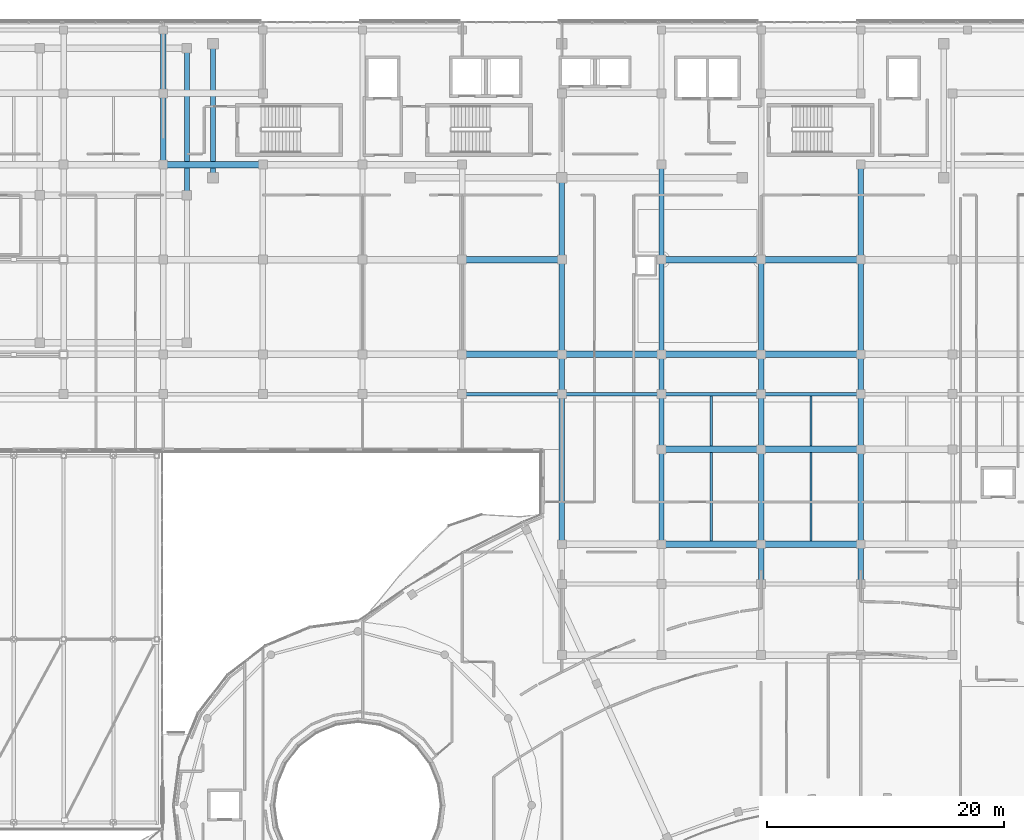
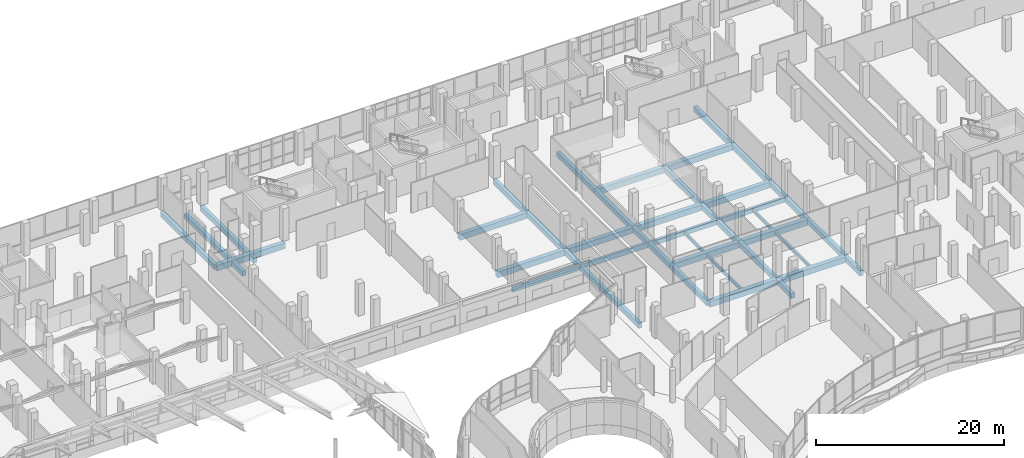
# One storey, part 109 of 184: 44 beams.
"""IFC4 building model written with IfcOpenShell, lengths in metres."""

from ifc_helpers import new_model, si_unit, direction, frame, origin, origin_2d, place, context, subcontext, project, spatial, rectangle, i_section, extrude, material, material_profile, profile_set, type_object, element, save


model = new_model("IFC4")

# Units and contexts
model_context = context("Model", 3, precision=1e-05, world=origin(), true_north=direction((0.0, 1.0)))
body_context = subcontext(model_context, "Body", "Model", "MODEL_VIEW")
ifc_project = project(units=[si_unit("LENGTHUNIT", "METRE"), si_unit("AREAUNIT", "SQUARE_METRE"), si_unit("VOLUMEUNIT", "CUBIC_METRE"), si_unit("PLANEANGLEUNIT", "RADIAN"), si_unit("MASSUNIT", "GRAM", prefix="KILO")], contexts=[model_context])

# Site, building, storey
site_placement = place(None, origin())
site = spatial("IfcSite", under=ifc_project, at=site_placement, CompositionType="ELEMENT")
building_placement = place(site_placement, origin())
building = spatial("IfcBuilding", under=site, at=building_placement, Name="Selatvlak General Hospital", CompositionType="ELEMENT")
storey_placement = place(building_placement, frame((0.0, 0.0, 15.0)))
storey = spatial("IfcBuildingStorey", under=building, at=storey_placement, Name="L03", CompositionType="ELEMENT", Elevation=15.0)

# Beams
ifc_material_1 = material(Name="Concrete C40/50", Category="concrete")
ifc_material_profile_1 = material_profile(ifc_material_1, rectangle(XDim=0.550048828125, YDim=0.75, at=origin_2d()), Name="RC-BM 550x750")
ifc_profile_set_1 = profile_set([ifc_material_profile_1], Name="Concrete C40/50")
beam_type_1 = type_object("IfcBeamType", Name="BM-G02", PredefinedType="BEAM", material=ifc_profile_set_1)
for number, where, z_axis, x_axis, name in (
    (1, (123.60009765625, 76.0, -0.715087890625), (1.0, 0.0, 0.0), (0.0, 1.0, 0.0), "Beam BMR-L03-1173"),
    (2, (132.0, 76.0, -0.715087890625), (1.0, 0.0, 0.0), (0.0, 1.0, 0.0), "Beam BMR-L03-1174"),
    (3, (123.60009765625, 84.0, -0.715087890625), (1.0, 0.0, 0.0), (0.0, 1.0, 0.0), "Beam BMR-L03-1180"),
    (4, (132.0, 84.0, -0.715087890625), (1.0, 0.0, 0.0), (0.0, 1.0, 0.0), "Beam BMR-L03-1181"),
    (5, (106.800048828125, 92.0, -0.715087890625), (1.0, 0.0, 0.0), (0.0, 1.0, 0.0), "Beam BMR-L03-1213"),
):
    element("IfcBeam", number, at=place(storey_placement, frame(where, z_axis=z_axis, x_axis=x_axis)), inside=storey, type_object=beam_type_1, Name=name, PredefinedType="BEAM", context=body_context, shape_type="SweptSolid", body=[
        extrude(rectangle(XDim=0.550048828125, YDim=0.75, at=origin_2d()), origin(), (0.0, 0.0, 1.0), 8.39990234375),
    ])
beam_1_placement = place(storey_placement, frame((115.199951171875, 92.0, -0.715087890625), z_axis=(1.0, 0.0, 0.0), x_axis=(0.0, 1.0, 0.0)))
element("IfcBeam", 6, at=beam_1_placement, inside=storey, type_object=beam_type_1, Name="Beam BMR-L03-1214", PredefinedType="BEAM", context=body_context, shape_type="SweptSolid", body=[
    extrude(rectangle(XDim=0.550048828125, YDim=0.75, at=origin_2d()), origin(), (0.0, 0.0, 1.0), 8.400146484375),
])
for number, where, z_axis, x_axis, name in (
    (7, (123.60009765625, 92.0, -0.715087890625), (1.0, 0.0, 0.0), (0.0, 1.0, 0.0), "Beam BMR-L03-1215"),
    (8, (132.0, 92.0, -0.715087890625), (1.0, 0.0, 0.0), (0.0, 1.0, 0.0), "Beam BMR-L03-1216"),
    (9, (106.800048828125, 100.0, -0.715087890625), (1.0, 0.0, 0.0), (0.0, 1.0, 0.0), "Beam BMR-L03-1235"),
    (10, (123.60009765625, 100.0, -0.715087890625), (1.0, 0.0, 0.0), (0.0, 1.0, 0.0), "Beam BMR-L03-1236"),
    (11, (132.0, 100.0, -0.715087890625), (1.0, 0.0, 0.0), (0.0, 1.0, 0.0), "Beam BMR-L03-1237"),
    (12, (81.60009765625, 108.0, -0.715087890625), (1.0, 0.0, 0.0), (0.0, 1.0, 0.0), "Beam BMR-L03-1254"),
):
    element("IfcBeam", number, at=place(storey_placement, frame(where, z_axis=z_axis, x_axis=x_axis)), inside=storey, type_object=beam_type_1, Name=name, PredefinedType="BEAM", context=body_context, shape_type="SweptSolid", body=[
        extrude(rectangle(XDim=0.550048828125, YDim=0.75, at=origin_2d()), origin(), (0.0, 0.0, 1.0), 8.39990234375),
    ])
ifc_material_profile_2 = material_profile(ifc_material_1, rectangle(XDim=0.449951171875, YDim=0.64990234375, at=origin_2d()), Name="RC-BM 450x650")
ifc_profile_set_2 = profile_set([ifc_material_profile_2], Name="Concrete C40/50")
beam_type_2 = type_object("IfcBeamType", Name="BM-G04", PredefinedType="BEAM", material=ifc_profile_set_2)
beam_2_placement = place(storey_placement, frame((81.60009765625, 108.0, -0.6650390625), z_axis=(0.0, 1.0, 0.0), x_axis=(-1.0, 0.0, 0.0)))
element("IfcBeam", 13, at=beam_2_placement, inside=storey, type_object=beam_type_2, Name="Beam BMR-L03-1336", PredefinedType="BEAM", context=body_context, shape_type="SweptSolid", body=[
    extrude(rectangle(XDim=0.449951171875, YDim=0.64990234375, at=origin_2d()), origin(), (0.0, 0.0, 1.0), 6.0),
])
beam_3_placement = place(storey_placement, frame((81.60009765625, 114.0, -0.6650390625), z_axis=(0.0, 1.0, 0.0), x_axis=(-1.0, 0.0, 0.0)))
element("IfcBeam", 14, at=beam_3_placement, inside=storey, type_object=beam_type_2, Name="Beam BMR-L03-1337", PredefinedType="BEAM", context=body_context, shape_type="SweptSolid", body=[
    extrude(rectangle(XDim=0.449951171875, YDim=0.64990234375, at=origin_2d()), origin(), (0.0, 0.0, 1.0), 5.35009765625),
])
beam_4_placement = place(storey_placement, frame((83.60009765625, 105.39990234375, -0.6650390625), z_axis=(0.0, 1.0, 0.0), x_axis=(-1.0, 0.0, 0.0)))
element("IfcBeam", 15, at=beam_4_placement, inside=storey, type_object=beam_type_2, Name="Beam BMR-L03-1339", PredefinedType="BEAM", context=body_context, shape_type="SweptSolid", body=[
    extrude(rectangle(XDim=0.449951171875, YDim=0.64990234375, at=origin_2d()), origin(), (0.0, 0.0, 1.0), 12.400146484375),
])
beam_5_placement = place(storey_placement, frame((85.800048828125, 106.89990234375, -0.6650390625), z_axis=(0.0, 1.0, 0.0), x_axis=(-1.0, 0.0, 0.0)))
element("IfcBeam", 16, at=beam_5_placement, inside=storey, type_object=beam_type_2, Name="Beam BMR-L03-1340", PredefinedType="BEAM", context=body_context, shape_type="SweptSolid", body=[
    extrude(rectangle(XDim=0.449951171875, YDim=0.64990234375, at=origin_2d()), origin(), (0.0, 0.0, 1.0), 11.300048828125),
])
beam_6_placement = place(storey_placement, frame((115.199951171875, 76.0, -0.6650390625), z_axis=(0.0, 1.0, 0.0), x_axis=(-1.0, 0.0, 0.0)))
element("IfcBeam", 17, at=beam_6_placement, inside=storey, type_object=beam_type_2, Name="Beam BMR-L03-1354", PredefinedType="BEAM", context=body_context, shape_type="SweptSolid", body=[
    extrude(rectangle(XDim=0.449951171875, YDim=0.64990234375, at=origin_2d()), origin(), (0.0, 0.0, 1.0), 12.64990234375),
])
beam_7_placement = place(storey_placement, frame((115.199951171875, 88.64990234375, -0.6650390625), z_axis=(0.0, 1.0, 0.0), x_axis=(-1.0, 0.0, 0.0)))
element("IfcBeam", 18, at=beam_7_placement, inside=storey, type_object=beam_type_2, Name="Beam BMR-L03-1355", PredefinedType="BEAM", context=body_context, shape_type="SweptSolid", body=[
    extrude(rectangle(XDim=0.449951171875, YDim=0.64990234375, at=origin_2d()), origin(), (0.0, 0.0, 1.0), 3.35009765625),
])
beam_8_placement = place(storey_placement, frame((115.199951171875, 92.0, -0.6650390625), z_axis=(0.0, 1.0, 0.0), x_axis=(-1.0, 0.0, 0.0)))
element("IfcBeam", 19, at=beam_8_placement, inside=storey, type_object=beam_type_2, Name="Beam BMR-L03-1356", PredefinedType="BEAM", context=body_context, shape_type="SweptSolid", body=[
    extrude(rectangle(XDim=0.449951171875, YDim=0.64990234375, at=origin_2d()), origin(), (0.0, 0.0, 1.0), 8.0),
])
beam_9_placement = place(storey_placement, frame((115.199951171875, 100.0, -0.6650390625), z_axis=(0.0, 1.0, 0.0), x_axis=(-1.0, 0.0, 0.0)))
element("IfcBeam", 20, at=beam_9_placement, inside=storey, type_object=beam_type_2, Name="Beam BMR-L03-1357", PredefinedType="BEAM", context=body_context, shape_type="SweptSolid", body=[
    extrude(rectangle(XDim=0.449951171875, YDim=0.64990234375, at=origin_2d()), origin(), (0.0, 0.0, 1.0), 6.89990234375),
])
beam_10_placement = place(storey_placement, frame((123.60009765625, 76.0, -0.6650390625), z_axis=(0.0, 1.0, 0.0), x_axis=(-1.0, 0.0, 0.0)))
element("IfcBeam", 21, at=beam_10_placement, inside=storey, type_object=beam_type_2, Name="Beam BMR-L03-1361", PredefinedType="BEAM", context=body_context, shape_type="SweptSolid", body=[
    extrude(rectangle(XDim=0.449951171875, YDim=0.64990234375, at=origin_2d()), origin(), (0.0, 0.0, 1.0), 8.0),
])
beam_11_placement = place(storey_placement, frame((123.60009765625, 84.0, -0.6650390625), z_axis=(0.0, 1.0, 0.0), x_axis=(-1.0, 0.0, 0.0)))
element("IfcBeam", 22, at=beam_11_placement, inside=storey, type_object=beam_type_2, Name="Beam BMR-L03-1362", PredefinedType="BEAM", context=body_context, shape_type="SweptSolid", body=[
    extrude(rectangle(XDim=0.449951171875, YDim=0.64990234375, at=origin_2d()), origin(), (0.0, 0.0, 1.0), 4.64990234375),
])
beam_12_placement = place(storey_placement, frame((123.60009765625, 88.64990234375, -0.6650390625), z_axis=(0.0, 1.0, 0.0), x_axis=(-1.0, 0.0, 0.0)))
element("IfcBeam", 23, at=beam_12_placement, inside=storey, type_object=beam_type_2, Name="Beam BMR-L03-1363", PredefinedType="BEAM", context=body_context, shape_type="SweptSolid", body=[
    extrude(rectangle(XDim=0.449951171875, YDim=0.64990234375, at=origin_2d()), origin(), (0.0, 0.0, 1.0), 3.35009765625),
])
for number, where, z_axis, x_axis, name in (
    (24, (123.60009765625, 92.0, -0.6650390625), (0.0, 1.0, 0.0), (-1.0, 0.0, 0.0), "Beam BMR-L03-1364"),
    (25, (123.60009765625, 100.0, -0.6650390625), (0.0, 1.0, 0.0), (-1.0, 0.0, 0.0), "Beam BMR-L03-1365"),
):
    element("IfcBeam", number, at=place(storey_placement, frame(where, z_axis=z_axis, x_axis=x_axis)), inside=storey, type_object=beam_type_2, Name=name, PredefinedType="BEAM", context=body_context, shape_type="SweptSolid", body=[
        extrude(rectangle(XDim=0.449951171875, YDim=0.64990234375, at=origin_2d()), origin(), (0.0, 0.0, 1.0), 8.0),
    ])
beam_13_placement = place(storey_placement, frame((132.0, 72.64990234375, -0.6650390625), z_axis=(0.0, 1.0, 0.0), x_axis=(-1.0, 0.0, 0.0)))
element("IfcBeam", 26, at=beam_13_placement, inside=storey, type_object=beam_type_2, Name="Beam BMR-L03-1369", PredefinedType="BEAM", context=body_context, shape_type="SweptSolid", body=[
    extrude(rectangle(XDim=0.449951171875, YDim=0.64990234375, at=origin_2d()), origin(), (0.0, 0.0, 1.0), 3.35009765625),
])
beam_14_placement = place(storey_placement, frame((132.0, 76.0, -0.6650390625), z_axis=(0.0, 1.0, 0.0), x_axis=(-1.0, 0.0, 0.0)))
element("IfcBeam", 27, at=beam_14_placement, inside=storey, type_object=beam_type_2, Name="Beam BMR-L03-1370", PredefinedType="BEAM", context=body_context, shape_type="SweptSolid", body=[
    extrude(rectangle(XDim=0.449951171875, YDim=0.64990234375, at=origin_2d()), origin(), (0.0, 0.0, 1.0), 8.0),
])
beam_15_placement = place(storey_placement, frame((132.0, 84.0, -0.6650390625), z_axis=(0.0, 1.0, 0.0), x_axis=(-1.0, 0.0, 0.0)))
element("IfcBeam", 28, at=beam_15_placement, inside=storey, type_object=beam_type_2, Name="Beam BMR-L03-1371", PredefinedType="BEAM", context=body_context, shape_type="SweptSolid", body=[
    extrude(rectangle(XDim=0.449951171875, YDim=0.64990234375, at=origin_2d()), origin(), (0.0, 0.0, 1.0), 4.64990234375),
])
beam_16_placement = place(storey_placement, frame((132.0, 88.64990234375, -0.6650390625), z_axis=(0.0, 1.0, 0.0), x_axis=(-1.0, 0.0, 0.0)))
element("IfcBeam", 29, at=beam_16_placement, inside=storey, type_object=beam_type_2, Name="Beam BMR-L03-1372", PredefinedType="BEAM", context=body_context, shape_type="SweptSolid", body=[
    extrude(rectangle(XDim=0.449951171875, YDim=0.64990234375, at=origin_2d()), origin(), (0.0, 0.0, 1.0), 3.35009765625),
])
beam_17_placement = place(storey_placement, frame((132.0, 92.0, -0.6650390625), z_axis=(0.0, 1.0, 0.0), x_axis=(-1.0, 0.0, 0.0)))
element("IfcBeam", 30, at=beam_17_placement, inside=storey, type_object=beam_type_2, Name="Beam BMR-L03-1373", PredefinedType="BEAM", context=body_context, shape_type="SweptSolid", body=[
    extrude(rectangle(XDim=0.449951171875, YDim=0.64990234375, at=origin_2d()), origin(), (0.0, 0.0, 1.0), 8.0),
])
beam_18_placement = place(storey_placement, frame((140.39990234375, 72.64990234375, -0.6650390625), z_axis=(0.0, 1.0, 0.0), x_axis=(-1.0, 0.0, 0.0)))
element("IfcBeam", 31, at=beam_18_placement, inside=storey, type_object=beam_type_2, Name="Beam BMR-L03-1377", PredefinedType="BEAM", context=body_context, shape_type="SweptSolid", body=[
    extrude(rectangle(XDim=0.449951171875, YDim=0.64990234375, at=origin_2d()), origin(), (0.0, 0.0, 1.0), 3.35009765625),
])
beam_19_placement = place(storey_placement, frame((140.39990234375, 76.0, -0.6650390625), z_axis=(0.0, 1.0, 0.0), x_axis=(-1.0, 0.0, 0.0)))
element("IfcBeam", 32, at=beam_19_placement, inside=storey, type_object=beam_type_2, Name="Beam BMR-L03-1378", PredefinedType="BEAM", context=body_context, shape_type="SweptSolid", body=[
    extrude(rectangle(XDim=0.449951171875, YDim=0.64990234375, at=origin_2d()), origin(), (0.0, 0.0, 1.0), 8.0),
])
beam_20_placement = place(storey_placement, frame((140.39990234375, 84.0, -0.6650390625), z_axis=(0.0, 1.0, 0.0), x_axis=(-1.0, 0.0, 0.0)))
element("IfcBeam", 33, at=beam_20_placement, inside=storey, type_object=beam_type_2, Name="Beam BMR-L03-1379", PredefinedType="BEAM", context=body_context, shape_type="SweptSolid", body=[
    extrude(rectangle(XDim=0.449951171875, YDim=0.64990234375, at=origin_2d()), origin(), (0.0, 0.0, 1.0), 4.64990234375),
])
beam_21_placement = place(storey_placement, frame((140.39990234375, 88.64990234375, -0.6650390625), z_axis=(0.0, 1.0, 0.0), x_axis=(-1.0, 0.0, 0.0)))
element("IfcBeam", 34, at=beam_21_placement, inside=storey, type_object=beam_type_2, Name="Beam BMR-L03-1380", PredefinedType="BEAM", context=body_context, shape_type="SweptSolid", body=[
    extrude(rectangle(XDim=0.449951171875, YDim=0.64990234375, at=origin_2d()), origin(), (0.0, 0.0, 1.0), 3.35009765625),
])
for number, where, z_axis, x_axis, name in (
    (35, (140.39990234375, 92.0, -0.6650390625), (0.0, 1.0, 0.0), (-1.0, 0.0, 0.0), "Beam BMR-L03-1381"),
    (36, (140.39990234375, 100.0, -0.6650390625), (0.0, 1.0, 0.0), (-1.0, 0.0, 0.0), "Beam BMR-L03-1382"),
):
    element("IfcBeam", number, at=place(storey_placement, frame(where, z_axis=z_axis, x_axis=x_axis)), inside=storey, type_object=beam_type_2, Name=name, PredefinedType="BEAM", context=body_context, shape_type="SweptSolid", body=[
        extrude(rectangle(XDim=0.449951171875, YDim=0.64990234375, at=origin_2d()), origin(), (0.0, 0.0, 1.0), 8.0),
    ])
ifc_material_2 = material(Name="Steel S355", Category="steel")
ifc_material_profile_3 = material_profile(ifc_material_2, i_section(OverallWidth=0.1904296875, OverallDepth=0.45703125, WebThickness=0.009033203125, FlangeThickness=0.014404296875, at=origin_2d()), Name="UB 457x191x74")
ifc_profile_set_3 = profile_set([ifc_material_profile_3], Name="Steel S355")
beam_type_3 = type_object("IfcBeamType", Name="BM-J03", PredefinedType="JOIST", material=ifc_profile_set_3)
for number, where, z_axis, x_axis, name in (
    (37, (127.800048828125, 76.27490234375, -0.569091796875), (0.0, 1.0, 0.0), (-1.0, 0.0, 0.0), "Beam BMR-L03-1432"),
    (38, (136.199951171875, 76.27490234375, -0.569091796875), (0.0, 1.0, 0.0), (-1.0, 0.0, 0.0), "Beam BMR-L03-1433"),
):
    element("IfcBeam", number, at=place(storey_placement, frame(where, z_axis=z_axis, x_axis=x_axis)), inside=storey, type_object=beam_type_3, Name=name, PredefinedType="JOIST", context=body_context, shape_type="SweptSolid", body=[
        extrude(i_section(OverallWidth=0.1904296875, OverallDepth=0.45703125, WebThickness=0.009033203125, FlangeThickness=0.014404296875, at=origin_2d()), origin(), (0.0, 0.0, 1.0), 7.4501953125),
    ])
for number, where, z_axis, x_axis, name in (
    (39, (127.800048828125, 84.27490234375, -0.569091796875), (0.0, 1.0, 0.0), (-1.0, 0.0, 0.0), "Beam BMR-L03-1436"),
    (40, (136.199951171875, 84.27490234375, -0.569091796875), (0.0, 1.0, 0.0), (-1.0, 0.0, 0.0), "Beam BMR-L03-1437"),
):
    element("IfcBeam", number, at=place(storey_placement, frame(where, z_axis=z_axis, x_axis=x_axis)), inside=storey, type_object=beam_type_3, Name=name, PredefinedType="JOIST", context=body_context, shape_type="SweptSolid", body=[
        extrude(i_section(OverallWidth=0.1904296875, OverallDepth=0.45703125, WebThickness=0.009033203125, FlangeThickness=0.014404296875, at=origin_2d()), origin(), (0.0, 0.0, 1.0), 4.22509765625),
    ])
ifc_material_profile_4 = material_profile(ifc_material_1, rectangle(XDim=0.300048828125, YDim=0.64990234375, at=origin_2d()), Name="RC-SP 300x650")
ifc_profile_set_4 = profile_set([ifc_material_profile_4], Name="Concrete C40/50")
beam_type_4 = type_object("IfcBeamType", Name="BM-SP1", PredefinedType="SPANDREL", material=ifc_profile_set_4)
beam_22_placement = place(storey_placement, frame((106.800048828125, 88.64990234375, -0.6650390625), z_axis=(1.0, 0.0, 0.0), x_axis=(0.0, 1.0, 0.0)))
element("IfcBeam", 41, at=beam_22_placement, inside=storey, type_object=beam_type_4, Name="Beam BMR-L03-1193", PredefinedType="SPANDREL", context=body_context, shape_type="SweptSolid", body=[
    extrude(rectangle(XDim=0.300048828125, YDim=0.64990234375, at=origin_2d()), origin(), (0.0, 0.0, 1.0), 8.39990234375),
])
beam_23_placement = place(storey_placement, frame((115.199951171875, 88.64990234375, -0.6650390625), z_axis=(1.0, 0.0, 0.0), x_axis=(0.0, 1.0, 0.0)))
element("IfcBeam", 42, at=beam_23_placement, inside=storey, type_object=beam_type_4, Name="Beam BMR-L03-1194", PredefinedType="SPANDREL", context=body_context, shape_type="SweptSolid", body=[
    extrude(rectangle(XDim=0.300048828125, YDim=0.64990234375, at=origin_2d()), origin(), (0.0, 0.0, 1.0), 8.400146484375),
])
for number, where, z_axis, x_axis, name in (
    (43, (123.60009765625, 88.64990234375, -0.6650390625), (1.0, 0.0, 0.0), (0.0, 1.0, 0.0), "Beam BMR-L03-1195"),
    (44, (132.0, 88.64990234375, -0.6650390625), (1.0, 0.0, 0.0), (0.0, 1.0, 0.0), "Beam BMR-L03-1196"),
):
    element("IfcBeam", number, at=place(storey_placement, frame(where, z_axis=z_axis, x_axis=x_axis)), inside=storey, type_object=beam_type_4, Name=name, PredefinedType="SPANDREL", context=body_context, shape_type="SweptSolid", body=[
        extrude(rectangle(XDim=0.300048828125, YDim=0.64990234375, at=origin_2d()), origin(), (0.0, 0.0, 1.0), 8.39990234375),
    ])

save(model, "model.ifc")
